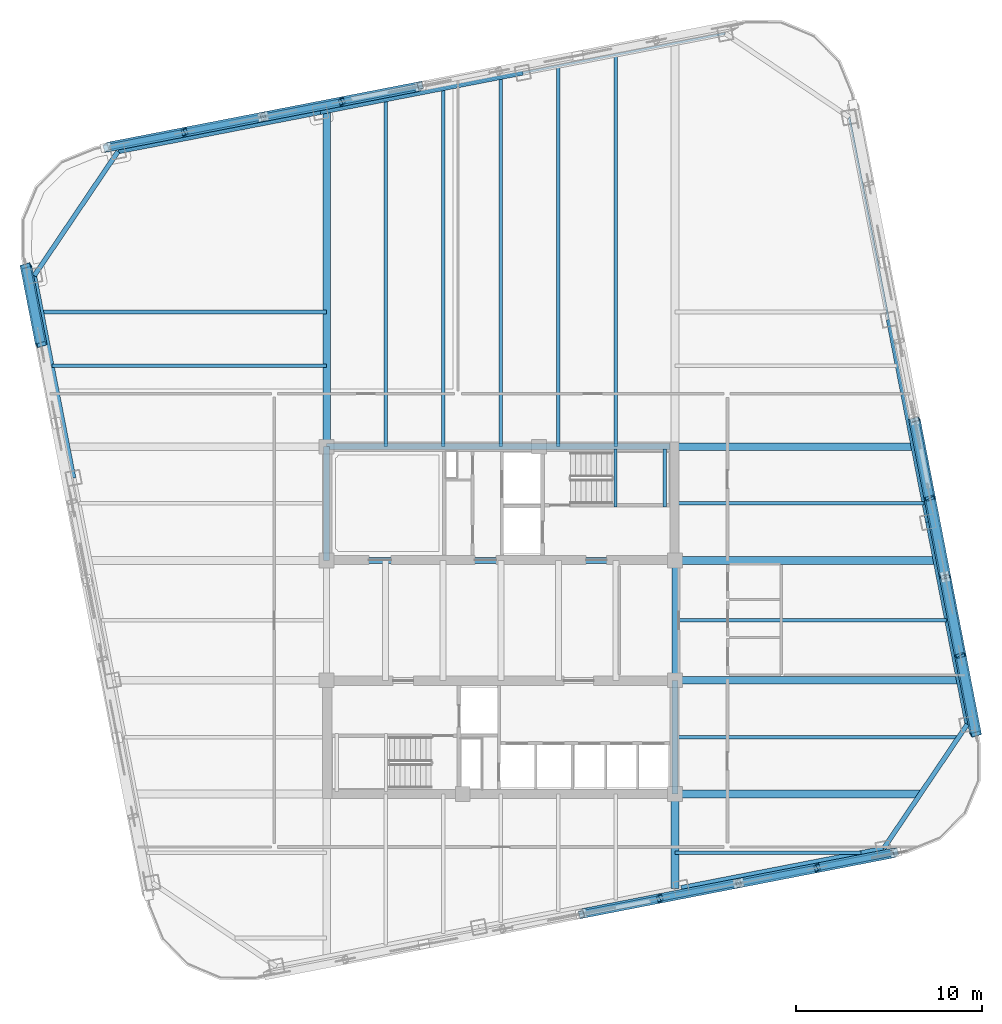
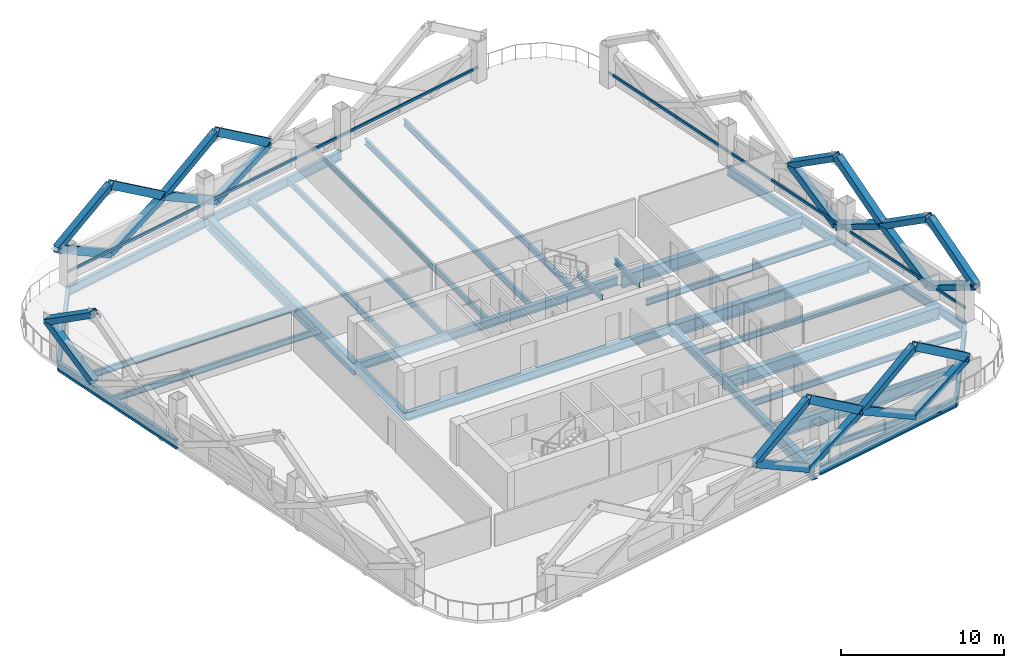
# One storey, part 2 of 10: 32 beams, 28 members.
"""IFC4 building model written with IfcOpenShell, lengths in metres."""

from ifc_helpers import new_model, si_unit, direction, frame, origin, origin_2d, place, context, subcontext, project, spatial, hollow_rectangle, i_section, extrude, material, material_profile, profile_set, type_object, element, save


model = new_model("IFC4")

# Units and contexts
model_context = context("Model", 3, precision=1e-05, world=origin(), true_north=direction((0.0, 1.0)))
body_context = subcontext(model_context, "Body", "Model", "MODEL_VIEW")
ifc_project = project(units=[si_unit("LENGTHUNIT", "METRE"), si_unit("AREAUNIT", "SQUARE_METRE"), si_unit("VOLUMEUNIT", "CUBIC_METRE"), si_unit("PLANEANGLEUNIT", "RADIAN"), si_unit("MASSUNIT", "GRAM", prefix="KILO")], contexts=[model_context])

# Site, building, storey
site_placement = place(None, origin())
site = spatial("IfcSite", under=ifc_project, at=site_placement, CompositionType="ELEMENT")
building_placement = place(site_placement, origin())
building = spatial("IfcBuilding", under=site, at=building_placement, Name="Qhalaya Broadcast Tower", CompositionType="ELEMENT")
storey_placement = place(building_placement, frame((0.0, 0.0, 118.89990234375)))
storey = spatial("IfcBuildingStorey", under=building, at=storey_placement, Name="L34", CompositionType="ELEMENT", Elevation=118.89990234375)

# Beams
ifc_material_1 = material(Name="Structural Steel ASTM A992 Grade 50", Category="steel")
ifc_material_profile_1 = material_profile(ifc_material_1, i_section(OverallWidth=0.19189453125, OverallDepth=0.462890625, WebThickness=0.010498046875, FlangeThickness=0.017578125, at=origin_2d()), Name="W18X60")
ifc_profile_set_1 = profile_set([ifc_material_profile_1], Name="Structural Steel ASTM A992 Grade 50")
beam_type_1 = type_object("IfcBeamType", Name="Composite Floor Joist J03", PredefinedType="JOIST", material=ifc_profile_set_1)
beam_1_placement = place(storey_placement, frame((-6.199951171875, 9.949951171875, -0.451416015625), z_axis=(0.0, 1.0, 0.0), x_axis=(-1.0, 0.0, 0.0)))
element("IfcBeam", 1, at=beam_1_placement, inside=storey, type_object=beam_type_1, Name="L34 J03 L34-JNN1-1", PredefinedType="JOIST", context=body_context, shape_type="SweptSolid", body=[
    extrude(i_section(OverallWidth=0.19189453125, OverallDepth=0.462890625, WebThickness=0.010498046875, FlangeThickness=0.017578125, at=origin_2d()), origin(), (0.0, 0.0, 1.0), 18.6728515625),
])
beam_2_placement = place(storey_placement, frame((-3.10009765625, 9.949951171875, -0.451416015625), z_axis=(0.0, 1.0, 0.0), x_axis=(-1.0, 0.0, 0.0)))
element("IfcBeam", 2, at=beam_2_placement, inside=storey, type_object=beam_type_1, Name="L34 J03 L34-JNN2-1", PredefinedType="JOIST", context=body_context, shape_type="SweptSolid", body=[
    extrude(i_section(OverallWidth=0.19189453125, OverallDepth=0.462890625, WebThickness=0.010498046875, FlangeThickness=0.017578125, at=origin_2d()), origin(), (0.0, 0.0, 1.0), 19.275390625),
])
beam_3_placement = place(storey_placement, frame((0.0, 9.949951171875, -0.451416015625), z_axis=(0.0, 1.0, 0.0), x_axis=(-1.0, 0.0, 0.0)))
element("IfcBeam", 3, at=beam_3_placement, inside=storey, type_object=beam_type_1, Name="L34 J03 L34-JNN3-1", PredefinedType="JOIST", context=body_context, shape_type="SweptSolid", body=[
    extrude(i_section(OverallWidth=0.19189453125, OverallDepth=0.462890625, WebThickness=0.010498046875, FlangeThickness=0.017578125, at=origin_2d()), origin(), (0.0, 0.0, 1.0), 19.8779296875),
])
beam_4_placement = place(storey_placement, frame((3.10009765625, 9.949951171875, -0.451416015625), z_axis=(0.0, 1.0, 0.0), x_axis=(-1.0, 0.0, 0.0)))
element("IfcBeam", 4, at=beam_4_placement, inside=storey, type_object=beam_type_1, Name="L34 J03 L34-JNN4-1", PredefinedType="JOIST", context=body_context, shape_type="SweptSolid", body=[
    extrude(i_section(OverallWidth=0.19189453125, OverallDepth=0.462890625, WebThickness=0.010498046875, FlangeThickness=0.017578125, at=origin_2d()), origin(), (0.0, 0.0, 1.0), 20.480712890625),
])
beam_5_placement = place(storey_placement, frame((6.199951171875, 9.949951171875, -0.451416015625), z_axis=(0.0, 1.0, 0.0), x_axis=(-1.0, 0.0, 0.0)))
element("IfcBeam", 5, at=beam_5_placement, inside=storey, type_object=beam_type_1, Name="L34 J03 L34-JNN5-1", PredefinedType="JOIST", context=body_context, shape_type="SweptSolid", body=[
    extrude(i_section(OverallWidth=0.19189453125, OverallDepth=0.462890625, WebThickness=0.010498046875, FlangeThickness=0.017578125, at=origin_2d()), origin(), (0.0, 0.0, 1.0), 21.083251953125),
])
beam_6_placement = place(storey_placement, frame((9.375, -11.89990234375, -0.451416015625), z_axis=(1.0, 0.0, 0.0), x_axis=(0.0, 1.0, 0.0)))
element("IfcBeam", 6, at=beam_6_placement, inside=storey, type_object=beam_type_1, Name="L34 J03 L34-JWE2E-1", PredefinedType="JOIST", context=body_context, shape_type="SweptSolid", body=[
    extrude(i_section(OverallWidth=0.19189453125, OverallDepth=0.462890625, WebThickness=0.010498046875, FlangeThickness=0.017578125, at=origin_2d()), origin(), (0.0, 0.0, 1.0), 10.009521484375),
])
beam_7_placement = place(storey_placement, frame((9.375, -5.699951171875, -0.451416015625), z_axis=(1.0, 0.0, 0.0), x_axis=(0.0, 1.0, 0.0)))
element("IfcBeam", 7, at=beam_7_placement, inside=storey, type_object=beam_type_1, Name="L34 J03 L34-JWE3E-1", PredefinedType="JOIST", context=body_context, shape_type="SweptSolid", body=[
    extrude(i_section(OverallWidth=0.19189453125, OverallDepth=0.462890625, WebThickness=0.010498046875, FlangeThickness=0.017578125, at=origin_2d()), origin(), (0.0, 0.0, 1.0), 15.24462890625),
])
beam_8_placement = place(storey_placement, frame((9.375, 0.60009765625, -0.451416015625), z_axis=(1.0, 0.0, 0.0), x_axis=(0.0, 1.0, 0.0)))
element("IfcBeam", 8, at=beam_8_placement, inside=storey, type_object=beam_type_1, Name="L34 J03 L34-JWE4E-1", PredefinedType="JOIST", context=body_context, shape_type="SweptSolid", body=[
    extrude(i_section(OverallWidth=0.19189453125, OverallDepth=0.462890625, WebThickness=0.010498046875, FlangeThickness=0.017578125, at=origin_2d()), origin(), (0.0, 0.0, 1.0), 14.632568359375),
])
beam_9_placement = place(storey_placement, frame((9.375, 6.89990234375, -0.451416015625), z_axis=(1.0, 0.0, 0.0), x_axis=(0.0, 1.0, 0.0)))
element("IfcBeam", 9, at=beam_9_placement, inside=storey, type_object=beam_type_1, Name="L34 J03 L34-JWE5E-1", PredefinedType="JOIST", context=body_context, shape_type="SweptSolid", body=[
    extrude(i_section(OverallWidth=0.19189453125, OverallDepth=0.462890625, WebThickness=0.010498046875, FlangeThickness=0.017578125, at=origin_2d()), origin(), (0.0, 0.0, 1.0), 13.407958984375),
])
beam_10_placement = place(storey_placement, frame((-24.1513671875, 14.300048828125, -0.451416015625), z_axis=(1.0, 0.0, 0.0), x_axis=(0.0, 1.0, 0.0)))
element("IfcBeam", 10, at=beam_10_placement, inside=storey, type_object=beam_type_1, Name="L34 J03 L34-JWE6W-1", PredefinedType="JOIST", context=body_context, shape_type="SweptSolid", body=[
    extrude(i_section(OverallWidth=0.19189453125, OverallDepth=0.462890625, WebThickness=0.010498046875, FlangeThickness=0.017578125, at=origin_2d()), origin(), (0.0, 0.0, 1.0), 14.7763671875),
])
beam_11_placement = place(storey_placement, frame((-24.715087890625, 17.199951171875, -0.451416015625), z_axis=(1.0, 0.0, 0.0), x_axis=(0.0, 1.0, 0.0)))
element("IfcBeam", 11, at=beam_11_placement, inside=storey, type_object=beam_type_1, Name="L34 J03 L34-JWE7W-1", PredefinedType="JOIST", context=body_context, shape_type="SweptSolid", body=[
    extrude(i_section(OverallWidth=0.19189453125, OverallDepth=0.462890625, WebThickness=0.010498046875, FlangeThickness=0.017578125, at=origin_2d()), origin(), (0.0, 0.0, 1.0), 15.340087890625),
])
ifc_material_profile_2 = material_profile(ifc_material_1, i_section(OverallWidth=0.323974609375, OverallDepth=0.612060546875, WebThickness=0.0126953125, FlangeThickness=0.01904296875, at=origin_2d()), Name="W24X104")
ifc_profile_set_2 = profile_set([ifc_material_profile_2], Name="Structural Steel ASTM A992 Grade 50")
beam_type_2 = type_object("IfcBeamType", Name="Core Frame Tie Beam B04", PredefinedType="BEAM", material=ifc_profile_set_2)
beam_12_placement = place(storey_placement, frame((-9.375, 3.824951171875, -0.52587890625), z_axis=(1.0, 0.0, 0.0), x_axis=(0.0, 1.0, 0.0)))
element("IfcBeam", 12, at=beam_12_placement, inside=storey, type_object=beam_type_2, Name="L34 B04 L34-CCN1", PredefinedType="BEAM", context=body_context, shape_type="SweptSolid", body=[
    extrude(i_section(OverallWidth=0.323974609375, OverallDepth=0.612060546875, WebThickness=0.0126953125, FlangeThickness=0.01904296875, at=origin_2d()), origin(), (0.0, 0.0, 1.0), 18.75),
])
beam_13_placement = place(storey_placement, frame((-9.375, 3.824951171875, -0.52587890625), z_axis=(0.0, 1.0, 0.0), x_axis=(-1.0, 0.0, 0.0)))
element("IfcBeam", 13, at=beam_13_placement, inside=storey, type_object=beam_type_2, Name="L34 B04 L34-CCN2", PredefinedType="BEAM", context=body_context, shape_type="SweptSolid", body=[
    extrude(i_section(OverallWidth=0.323974609375, OverallDepth=0.612060546875, WebThickness=0.0126953125, FlangeThickness=0.01904296875, at=origin_2d()), origin(), (0.0, 0.0, 1.0), 6.125),
])
beam_14_placement = place(storey_placement, frame((-9.375, 9.949951171875, -0.52587890625), z_axis=(1.0, 0.0, 0.0), x_axis=(0.0, 1.0, 0.0)))
element("IfcBeam", 14, at=beam_14_placement, inside=storey, type_object=beam_type_2, Name="L34 B04 L34-CCN3", PredefinedType="BEAM", context=body_context, shape_type="SweptSolid", body=[
    extrude(i_section(OverallWidth=0.323974609375, OverallDepth=0.612060546875, WebThickness=0.0126953125, FlangeThickness=0.01904296875, at=origin_2d()), origin(), (0.0, 0.0, 1.0), 18.4951171875),
])
beam_15_placement = place(storey_placement, frame((9.375, -8.75, -0.52587890625), z_axis=(0.0, 1.0, 0.0), x_axis=(-1.0, 0.0, 0.0)))
element("IfcBeam", 15, at=beam_15_placement, inside=storey, type_object=beam_type_2, Name="L34 B04 L34-CCS2", PredefinedType="BEAM", context=body_context, shape_type="SweptSolid", body=[
    extrude(i_section(OverallWidth=0.323974609375, OverallDepth=0.612060546875, WebThickness=0.0126953125, FlangeThickness=0.01904296875, at=origin_2d()), origin(), (0.0, 0.0, 1.0), 6.125),
])
beam_16_placement = place(storey_placement, frame((9.375, -2.625, -0.52587890625), z_axis=(0.0, 1.0, 0.0), x_axis=(-1.0, 0.0, 0.0)))
element("IfcBeam", 16, at=beam_16_placement, inside=storey, type_object=beam_type_2, Name="L34 B04 L34-CCE", PredefinedType="BEAM", context=body_context, shape_type="SweptSolid", body=[
    extrude(i_section(OverallWidth=0.323974609375, OverallDepth=0.612060546875, WebThickness=0.0126953125, FlangeThickness=0.01904296875, at=origin_2d()), origin(), (0.0, 0.0, 1.0), 6.449951171875),
])

# Members
ifc_material_2 = material(Name="Structural Steel ASTM A572 Grade 50", Category="steel")
ifc_material_profile_3 = material_profile(ifc_material_2, hollow_rectangle(XDim=0.419921875, YDim=0.550048828125, WallThickness=0.028076171875, at=origin_2d()), Name="BOX 420x550x28")
ifc_profile_set_3 = profile_set([ifc_material_profile_3], Name="Structural Steel ASTM A572 Grade 50")
member_type_1 = type_object("IfcMemberType", Name="Exoskeleton Diamond Diagonal Mid-Low EX2", PredefinedType="BRACE", material=ifc_profile_set_3)
for number, where, z_axis, x_axis, name in (
    (17, (8.562744140625, -14.370361328125, 0.360107421875), (-0.86362522784, -0.167853798825, 0.475369927591), (0.276322709835, -0.946290155626, 0.167871085642), "B3 Exoskeleton Diamond Brace S3-D1"),
    (18, (8.562744140625, -14.370361328125, 0.360107421875), (0.863618006517, 0.167902203124, 0.475365952719), (-0.276374553568, 0.946274942687, 0.167871495444), "B3 Exoskeleton Diamond Brace S3-D2"),
):
    element("IfcMember", number, at=place(storey_placement, frame(where, z_axis=z_axis, x_axis=x_axis)), inside=storey, type_object=member_type_1, Name=name, PredefinedType="BRACE", context=body_context, shape_type="SweptSolid", body=[
        extrude(hollow_rectangle(XDim=0.419921875, YDim=0.550048828125, WallThickness=0.028076171875, at=origin_2d()), origin(), (0.0, 0.0, 1.0), 4.901611328125),
    ])
for number, where, z_axis, x_axis, name in (
    (19, (4.32958984375, -15.193115234375, 2.690185546875), (0.822451309368, 0.159851255123, 0.545913381366), (-0.289535782695, 0.943722068912, 0.159867717779), "B3 Exoskeleton Diamond Brace S3-D3"),
    (20, (12.7958984375, -13.54736328125, 2.690185546875), (-0.822445072423, -0.15989747616, 0.545909241509), (0.289587452788, -0.943706127688, 0.159868232466), "B3 Exoskeleton Diamond Brace S3-D4"),
):
    element("IfcMember", number, at=place(storey_placement, frame(where, z_axis=z_axis, x_axis=x_axis)), inside=storey, type_object=member_type_1, Name=name, PredefinedType="BRACE", context=body_context, shape_type="SweptSolid", body=[
        extrude(hollow_rectangle(XDim=0.419921875, YDim=0.550048828125, WallThickness=0.028076171875, at=origin_2d()), origin(), (0.0, 0.0, 1.0), 5.14697265625),
    ])
member_1_placement = place(storey_placement, frame((17.029296875, -12.724609375, 0.360107421875), z_axis=(-0.863637885863, -0.16784657874, 0.47534947997), x_axis=(0.276308659238, -0.946293884406, 0.167873193708)))
element("IfcMember", 21, at=member_1_placement, inside=storey, type_object=member_type_1, Name="B3 Exoskeleton Diamond Brace S4-D1", PredefinedType="BRACE", context=body_context, shape_type="SweptSolid", body=[
    extrude(hollow_rectangle(XDim=0.419921875, YDim=0.550048828125, WallThickness=0.028076171875, at=origin_2d()), origin(), (0.0, 0.0, 1.0), 4.90185546875),
])
member_2_placement = place(storey_placement, frame((17.029296875, -12.724609375, 0.360107421875), z_axis=(0.863618006517, 0.167902203124, 0.475365952719), x_axis=(-0.276374553568, 0.946274942687, 0.167871495444)))
element("IfcMember", 22, at=member_2_placement, inside=storey, type_object=member_type_1, Name="B3 Exoskeleton Diamond Brace S4-D2", PredefinedType="BRACE", context=body_context, shape_type="SweptSolid", body=[
    extrude(hollow_rectangle(XDim=0.419921875, YDim=0.550048828125, WallThickness=0.028076171875, at=origin_2d()), origin(), (0.0, 0.0, 1.0), 4.901611328125),
])
member_3_placement = place(storey_placement, frame((12.7958984375, -13.54736328125, 2.690185546875), z_axis=(0.822466656744, 0.159845019217, 0.545892084917), x_axis=(-0.289521600846, 0.943725971302, 0.1598703654)))
element("IfcMember", 23, at=member_3_placement, inside=storey, type_object=member_type_1, Name="B3 Exoskeleton Diamond Brace S4-D3", PredefinedType="BRACE", context=body_context, shape_type="SweptSolid", body=[
    extrude(hollow_rectangle(XDim=0.419921875, YDim=0.550048828125, WallThickness=0.028076171875, at=origin_2d()), origin(), (0.0, 0.0, 1.0), 5.147216796875),
])
member_4_placement = place(storey_placement, frame((21.262451171875, -11.901611328125, 2.690185546875), z_axis=(-0.822445072423, -0.15989747616, 0.545909241509), x_axis=(0.289587452788, -0.943706127688, 0.159868232466)))
element("IfcMember", 24, at=member_4_placement, inside=storey, type_object=member_type_1, Name="B3 Exoskeleton Diamond Brace S4-D4", PredefinedType="BRACE", context=body_context, shape_type="SweptSolid", body=[
    extrude(hollow_rectangle(XDim=0.419921875, YDim=0.550048828125, WallThickness=0.028076171875, at=origin_2d()), origin(), (0.0, 0.0, 1.0), 5.14697265625),
])
member_5_placement = place(storey_placement, frame((24.74169921875, -1.290283203125, 0.360107421875), z_axis=(0.167894981079, -0.863630665056, 0.475345505611), x_axis=(-0.276347513602, 0.421624178814, 0.863634820723)))
element("IfcMember", 25, at=member_5_placement, inside=storey, type_object=member_type_1, Name="B3 Exoskeleton Diamond Brace E1-D1", PredefinedType="BRACE", context=body_context, shape_type="SweptSolid", body=[
    extrude(hollow_rectangle(XDim=0.419921875, YDim=0.550048828125, WallThickness=0.028076171875, at=origin_2d()), origin(), (0.0, 0.0, 1.0), 4.90185546875),
])
member_6_placement = place(storey_placement, frame((24.74169921875, -1.290283203125, 0.360107421875), z_axis=(-0.167902203124, 0.863618006517, 0.475365952719), x_axis=(0.276355899211, -0.421640895738, 0.863623976052)))
element("IfcMember", 26, at=member_6_placement, inside=storey, type_object=member_type_1, Name="B3 Exoskeleton Diamond Brace E1-D2", PredefinedType="BRACE", context=body_context, shape_type="SweptSolid", body=[
    extrude(hollow_rectangle(XDim=0.419921875, YDim=0.550048828125, WallThickness=0.028076171875, at=origin_2d()), origin(), (0.0, 0.0, 1.0), 4.901611328125),
])
member_7_placement = place(storey_placement, frame((25.564697265625, -5.523681640625, 2.690185546875), z_axis=(-0.159891238546, 0.82246042017, 0.545887945544), x_axis=(0.28956202773, -0.489597977384, 0.822464377732)))
element("IfcMember", 27, at=member_7_placement, inside=storey, type_object=member_type_1, Name="B3 Exoskeleton Diamond Brace E1-D3", PredefinedType="BRACE", context=body_context, shape_type="SweptSolid", body=[
    extrude(hollow_rectangle(XDim=0.419921875, YDim=0.550048828125, WallThickness=0.028076171875, at=origin_2d()), origin(), (0.0, 0.0, 1.0), 5.147216796875),
])
member_8_placement = place(storey_placement, frame((23.918701171875, 2.94287109375, 2.690185546875), z_axis=(0.15989747616, -0.822445072423, 0.545909241509), x_axis=(-0.289571306731, 0.489615369484, 0.822450757361)))
element("IfcMember", 28, at=member_8_placement, inside=storey, type_object=member_type_1, Name="B3 Exoskeleton Diamond Brace E1-D4", PredefinedType="BRACE", context=body_context, shape_type="SweptSolid", body=[
    extrude(hollow_rectangle(XDim=0.419921875, YDim=0.550048828125, WallThickness=0.028076171875, at=origin_2d()), origin(), (0.0, 0.0, 1.0), 5.14697265625),
])
member_9_placement = place(storey_placement, frame((23.095947265625, 7.17626953125, 0.360107421875), z_axis=(0.16784657874, -0.863637885863, 0.47534947997), x_axis=(-0.276324827587, 0.421643364625, 0.863632712863)))
element("IfcMember", 29, at=member_9_placement, inside=storey, type_object=member_type_1, Name="B3 Exoskeleton Diamond Brace E2-D1", PredefinedType="BRACE", context=body_context, shape_type="SweptSolid", body=[
    extrude(hollow_rectangle(XDim=0.419921875, YDim=0.550048828125, WallThickness=0.028076171875, at=origin_2d()), origin(), (0.0, 0.0, 1.0), 4.90185546875),
])
member_10_placement = place(storey_placement, frame((23.095947265625, 7.17626953125, 0.360107421875), z_axis=(-0.167853798825, 0.86362522784, 0.475369927591), x_axis=(0.276333211151, -0.421660083323, 0.863621867803)))
element("IfcMember", 30, at=member_10_placement, inside=storey, type_object=member_type_1, Name="B3 Exoskeleton Diamond Brace E2-D2", PredefinedType="BRACE", context=body_context, shape_type="SweptSolid", body=[
    extrude(hollow_rectangle(XDim=0.419921875, YDim=0.550048828125, WallThickness=0.028076171875, at=origin_2d()), origin(), (0.0, 0.0, 1.0), 4.901611328125),
])
member_11_placement = place(storey_placement, frame((23.918701171875, 2.94287109375, 2.690185546875), z_axis=(-0.159845019217, 0.822466656744, 0.545892084917), x_axis=(0.289535595257, -0.489618056435, 0.822461730351)))
element("IfcMember", 31, at=member_11_placement, inside=storey, type_object=member_type_1, Name="B3 Exoskeleton Diamond Brace E2-D3", PredefinedType="BRACE", context=body_context, shape_type="SweptSolid", body=[
    extrude(hollow_rectangle(XDim=0.419921875, YDim=0.550048828125, WallThickness=0.028076171875, at=origin_2d()), origin(), (0.0, 0.0, 1.0), 5.147216796875),
])
member_12_placement = place(storey_placement, frame((22.273193359375, 11.409423828125, 2.690185546875), z_axis=(0.159851255123, -0.822451309368, 0.545913381366), x_axis=(-0.28954487197, 0.489635450369, 0.822448109523)))
element("IfcMember", 32, at=member_12_placement, inside=storey, type_object=member_type_1, Name="B3 Exoskeleton Diamond Brace E2-D4", PredefinedType="BRACE", context=body_context, shape_type="SweptSolid", body=[
    extrude(hollow_rectangle(XDim=0.419921875, YDim=0.550048828125, WallThickness=0.028076171875, at=origin_2d()), origin(), (0.0, 0.0, 1.0), 5.14697265625),
])
for number, where, z_axis, x_axis, name in (
    (33, (-8.562744140625, 28.5302734375, 0.360107421875), (0.86362522784, 0.167853798825, 0.475369927591), (-0.276322709835, 0.946290155626, 0.167871085642), "B3 Exoskeleton Diamond Brace N3-D1"),
    (34, (-8.562744140625, 28.5302734375, 0.360107421875), (-0.86362522784, -0.167853798825, 0.475369927591), (0.276322709835, -0.946290155626, 0.167871085642), "B3 Exoskeleton Diamond Brace N3-D2"),
):
    element("IfcMember", number, at=place(storey_placement, frame(where, z_axis=z_axis, x_axis=x_axis)), inside=storey, type_object=member_type_1, Name=name, PredefinedType="BRACE", context=body_context, shape_type="SweptSolid", body=[
        extrude(hollow_rectangle(XDim=0.419921875, YDim=0.550048828125, WallThickness=0.028076171875, at=origin_2d()), origin(), (0.0, 0.0, 1.0), 4.901611328125),
    ])
for number, where, z_axis, x_axis, name in (
    (35, (-4.32958984375, 29.35302734375, 2.690185546875), (-0.822451309368, -0.159851255123, 0.545913381366), (0.289535782695, -0.943722068912, 0.159867717779), "B3 Exoskeleton Diamond Brace N3-D3"),
    (36, (-12.7958984375, 27.70751953125, 2.690185546875), (0.822451309368, 0.159851255123, 0.545913381366), (-0.289535782695, 0.943722068912, 0.159867717779), "B3 Exoskeleton Diamond Brace N3-D4"),
):
    element("IfcMember", number, at=place(storey_placement, frame(where, z_axis=z_axis, x_axis=x_axis)), inside=storey, type_object=member_type_1, Name=name, PredefinedType="BRACE", context=body_context, shape_type="SweptSolid", body=[
        extrude(hollow_rectangle(XDim=0.419921875, YDim=0.550048828125, WallThickness=0.028076171875, at=origin_2d()), origin(), (0.0, 0.0, 1.0), 5.14697265625),
    ])
member_13_placement = place(storey_placement, frame((-17.029296875, 26.884521484375, 0.360107421875), z_axis=(0.863630665056, 0.167894981079, 0.475345505611), x_axis=(-0.276360500461, 0.946278673042, 0.167873603434)))
element("IfcMember", 37, at=member_13_placement, inside=storey, type_object=member_type_1, Name="B3 Exoskeleton Diamond Brace N4-D1", PredefinedType="BRACE", context=body_context, shape_type="SweptSolid", body=[
    extrude(hollow_rectangle(XDim=0.419921875, YDim=0.550048828125, WallThickness=0.028076171875, at=origin_2d()), origin(), (0.0, 0.0, 1.0), 4.90185546875),
])
member_14_placement = place(storey_placement, frame((-17.029296875, 26.884521484375, 0.360107421875), z_axis=(-0.86362522784, -0.167853798825, 0.475369927591), x_axis=(0.276322709835, -0.946290155626, 0.167871085642)))
element("IfcMember", 38, at=member_14_placement, inside=storey, type_object=member_type_1, Name="B3 Exoskeleton Diamond Brace N4-D2", PredefinedType="BRACE", context=body_context, shape_type="SweptSolid", body=[
    extrude(hollow_rectangle(XDim=0.419921875, YDim=0.550048828125, WallThickness=0.028076171875, at=origin_2d()), origin(), (0.0, 0.0, 1.0), 4.901611328125),
])
member_15_placement = place(storey_placement, frame((-12.7958984375, 27.70751953125, 2.690185546875), z_axis=(-0.82246042017, -0.159891238546, 0.545887945544), x_axis=(0.289573268441, -0.943710031701, 0.159870879998)))
element("IfcMember", 39, at=member_15_placement, inside=storey, type_object=member_type_1, Name="B3 Exoskeleton Diamond Brace N4-D3", PredefinedType="BRACE", context=body_context, shape_type="SweptSolid", body=[
    extrude(hollow_rectangle(XDim=0.419921875, YDim=0.550048828125, WallThickness=0.028076171875, at=origin_2d()), origin(), (0.0, 0.0, 1.0), 5.147216796875),
])
member_16_placement = place(storey_placement, frame((-21.262451171875, 26.061767578125, 2.690185546875), z_axis=(0.822451309368, 0.159851255123, 0.545913381366), x_axis=(-0.289535782695, 0.943722068912, 0.159867717779)))
element("IfcMember", 40, at=member_16_placement, inside=storey, type_object=member_type_1, Name="B3 Exoskeleton Diamond Brace N4-D4", PredefinedType="BRACE", context=body_context, shape_type="SweptSolid", body=[
    extrude(hollow_rectangle(XDim=0.419921875, YDim=0.550048828125, WallThickness=0.028076171875, at=origin_2d()), origin(), (0.0, 0.0, 1.0), 5.14697265625),
])
member_17_placement = place(storey_placement, frame((-24.74169921875, 15.4501953125, 0.360107421875), z_axis=(-0.167894981079, 0.863630665056, 0.475345505611), x_axis=(0.276347513602, -0.421624178814, 0.863634820723)))
element("IfcMember", 41, at=member_17_placement, inside=storey, type_object=member_type_1, Name="B3 Exoskeleton Diamond Brace W1-D1", PredefinedType="BRACE", context=body_context, shape_type="SweptSolid", body=[
    extrude(hollow_rectangle(XDim=0.419921875, YDim=0.550048828125, WallThickness=0.028076171875, at=origin_2d()), origin(), (0.0, 0.0, 1.0), 4.90185546875),
])
member_18_placement = place(storey_placement, frame((-25.564697265625, 19.68359375, 2.690185546875), z_axis=(0.159891238546, -0.82246042017, 0.545887945544), x_axis=(-0.28956202773, 0.489597977384, 0.822464377732)))
element("IfcMember", 42, at=member_18_placement, inside=storey, type_object=member_type_1, Name="B3 Exoskeleton Diamond Brace W1-D3", PredefinedType="BRACE", context=body_context, shape_type="SweptSolid", body=[
    extrude(hollow_rectangle(XDim=0.419921875, YDim=0.550048828125, WallThickness=0.028076171875, at=origin_2d()), origin(), (0.0, 0.0, 1.0), 5.147216796875),
])
ifc_material_3 = material(Name="Fired Architectural Terracotta", Category="masonry")
ifc_material_profile_4 = material_profile(ifc_material_3, hollow_rectangle(XDim=0.110107421875, YDim=0.179931640625, WallThickness=0.01806640625, at=origin_2d()), Name="TB-BAG 110x180x18")
ifc_profile_set_4 = profile_set([ifc_material_profile_4], Name="Fired Architectural Terracotta")
member_type_2 = type_object("IfcMemberType", Name="Fired Terracotta Facade Baguette Member TB1", PredefinedType="USERDEFINED", material=ifc_profile_set_4)
for number, where, z_axis, x_axis, name in (
    (43, (25.1162109375, -4.99951171875, 0.84912109375), (-0.190803527564, 0.981628246267, 0.0), (-0.981628246267, -0.190803527564, 0.0), "L34 Terracotta Baguette Feature Rail E"),
    (44, (12.07958984375, 32.1962890625, 0.84912109375), (-0.981626873058, -0.190810592185, 0.0), (0.190810592185, -0.981626873058, 0.0), "L34 Terracotta Baguette Feature Rail N"),
):
    element("IfcMember", number, at=place(storey_placement, frame(where, z_axis=z_axis, x_axis=x_axis)), inside=storey, type_object=member_type_2, Name=name, ObjectType="BAGUETTE", PredefinedType="USERDEFINED", context=body_context, shape_type="SweptSolid", body=[
        extrude(hollow_rectangle(XDim=0.110107421875, YDim=0.179931640625, WallThickness=0.01806640625, at=origin_2d()), origin(), (0.0, 0.0, 1.0), 33.300048828125),
    ])

# Beams
ifc_material_profile_5 = material_profile(ifc_material_1, i_section(OverallWidth=0.4189453125, OverallDepth=0.927001953125, WebThickness=0.019287109375, FlangeThickness=0.031982421875, at=origin_2d()), Name="W36X231")
ifc_profile_set_5 = profile_set([ifc_material_profile_5], Name="Structural Steel ASTM A992 Grade 50")
beam_type_3 = type_object("IfcBeamType", Name="Mid Block Primary Girder PG3", PredefinedType="USERDEFINED", material=ifc_profile_set_5)
beam_17_placement = place(storey_placement, frame((-9.375, 9.949951171875, -0.683349609375), z_axis=(0.0, 1.0, 0.0), x_axis=(-1.0, 0.0, 0.0)))
element("IfcBeam", 45, at=beam_17_placement, inside=storey, type_object=beam_type_3, Name="L34 PG3 L34-PGXN1-1", ObjectType="GIRDER", PredefinedType="USERDEFINED", context=body_context, shape_type="SweptSolid", body=[
    extrude(i_section(OverallWidth=0.4189453125, OverallDepth=0.927001953125, WebThickness=0.019287109375, FlangeThickness=0.031982421875, at=origin_2d()), origin(), (0.0, 0.0, 1.0), 18.0556640625),
])
beam_18_placement = place(storey_placement, frame((9.375, -13.845703125, -0.683349609375), z_axis=(0.0, 1.0, 0.0), x_axis=(-1.0, 0.0, 0.0)))
element("IfcBeam", 46, at=beam_18_placement, inside=storey, type_object=beam_type_3, Name="L34 PG3 L34-PGXS2-1", ObjectType="GIRDER", PredefinedType="USERDEFINED", context=body_context, shape_type="SweptSolid", body=[
    extrude(i_section(OverallWidth=0.4189453125, OverallDepth=0.927001953125, WebThickness=0.019287109375, FlangeThickness=0.031982421875, at=origin_2d()), origin(), (0.0, 0.0, 1.0), 5.095703125),
])
beam_19_placement = place(storey_placement, frame((9.375, -8.75, -0.683349609375), z_axis=(1.0, 0.0, 0.0), x_axis=(0.0, 1.0, 0.0)))
element("IfcBeam", 47, at=beam_19_placement, inside=storey, type_object=beam_type_3, Name="L34 PG3 L34-PGYE1-1", ObjectType="GIRDER", PredefinedType="USERDEFINED", context=body_context, shape_type="SweptSolid", body=[
    extrude(i_section(OverallWidth=0.4189453125, OverallDepth=0.927001953125, WebThickness=0.019287109375, FlangeThickness=0.031982421875, at=origin_2d()), origin(), (0.0, 0.0, 1.0), 13.1875),
])
beam_20_placement = place(storey_placement, frame((9.375, -2.625, -0.683349609375), z_axis=(1.0, 0.0, 0.0), x_axis=(0.0, 1.0, 0.0)))
element("IfcBeam", 48, at=beam_20_placement, inside=storey, type_object=beam_type_3, Name="L34 PG3 L34-PGYE2-1", ObjectType="GIRDER", PredefinedType="USERDEFINED", context=body_context, shape_type="SweptSolid", body=[
    extrude(i_section(OverallWidth=0.4189453125, OverallDepth=0.927001953125, WebThickness=0.019287109375, FlangeThickness=0.031982421875, at=origin_2d()), origin(), (0.0, 0.0, 1.0), 15.259521484375),
])
beam_21_placement = place(storey_placement, frame((9.375, 3.824951171875, -0.683349609375), z_axis=(1.0, 0.0, 0.0), x_axis=(0.0, 1.0, 0.0)))
element("IfcBeam", 49, at=beam_21_placement, inside=storey, type_object=beam_type_3, Name="L34 PG3 L34-PGYE3-1", ObjectType="GIRDER", PredefinedType="USERDEFINED", context=body_context, shape_type="SweptSolid", body=[
    extrude(i_section(OverallWidth=0.4189453125, OverallDepth=0.927001953125, WebThickness=0.019287109375, FlangeThickness=0.031982421875, at=origin_2d()), origin(), (0.0, 0.0, 1.0), 14.005615234375),
])
beam_22_placement = place(storey_placement, frame((9.375, 9.949951171875, -0.683349609375), z_axis=(1.0, 0.0, 0.0), x_axis=(0.0, 1.0, 0.0)))
element("IfcBeam", 50, at=beam_22_placement, inside=storey, type_object=beam_type_3, Name="L34 PG3 L34-PGYE4-1", ObjectType="GIRDER", PredefinedType="USERDEFINED", context=body_context, shape_type="SweptSolid", body=[
    extrude(i_section(OverallWidth=0.4189453125, OverallDepth=0.927001953125, WebThickness=0.019287109375, FlangeThickness=0.031982421875, at=origin_2d()), origin(), (0.0, 0.0, 1.0), 12.815185546875),
])
ifc_material_profile_6 = material_profile(ifc_material_1, i_section(OverallWidth=0.25390625, OverallDepth=0.68310546875, WebThickness=0.012451171875, FlangeThickness=0.01904296875, at=origin_2d()), Name="W27X94")
ifc_profile_set_6 = profile_set([ifc_material_profile_6], Name="Structural Steel ASTM A992 Grade 50")
beam_type_4 = type_object("IfcBeamType", Name="Perimeter Ring Spandrel Beam SP1", PredefinedType="SPANDREL", material=ifc_profile_set_6)
beam_23_placement = place(storey_placement, frame((9.712646484375, -13.80029296875, -0.5615234375), z_axis=(0.981627979352, 0.190804900759, 0.0), x_axis=(-0.190804900759, 0.981627979352, 0.0)))
element("IfcBeam", 51, at=beam_23_placement, inside=storey, type_object=beam_type_4, Name="L34 SP1 L34-SPR-03", PredefinedType="SPANDREL", context=body_context, shape_type="SweptSolid", body=[
    extrude(i_section(OverallWidth=0.25390625, OverallDepth=0.68310546875, WebThickness=0.012451171875, FlangeThickness=0.01904296875, at=origin_2d()), origin(), (0.0, 0.0, 1.0), 11.099853515625),
])
beam_24_placement = place(storey_placement, frame((20.608642578125, -11.682373046875, -0.5615234375), z_axis=(0.559186208288, 0.829042088473, 0.0), x_axis=(-0.829042088473, 0.559186208288, 0.0)))
element("IfcBeam", 52, at=beam_24_placement, inside=storey, type_object=beam_type_4, Name="L34 SP1 L34-SPR-04", PredefinedType="SPANDREL", context=body_context, shape_type="SweptSolid", body=[
    extrude(i_section(OverallWidth=0.25390625, OverallDepth=0.68310546875, WebThickness=0.012451171875, FlangeThickness=0.01904296875, at=origin_2d()), origin(), (0.0, 0.0, 1.0), 8.06103515625),
])
for number, where, z_axis, x_axis, name in (
    (53, (25.1162109375, -4.99951171875, -0.5615234375), (-0.190804900759, 0.981627979352, 0.0), (-0.981627979352, -0.190804900759, 0.0), "L34 SP1 L34-SPR-05"),
    (54, (22.998291015625, 5.896484375, -0.5615234375), (-0.190804900759, 0.981627979352, 0.0), (-0.981627979352, -0.190804900759, 0.0), "L34 SP1 L34-SPR-06"),
    (55, (1.183349609375, 30.078369140625, -0.5615234375), (-0.981627979352, -0.190804900759, 0.0), (0.190804900759, -0.981627979352, 0.0), "L34 SP1 L34-SPR-10"),
    (56, (-9.712646484375, 27.96044921875, -0.5615234375), (-0.981623859527, -0.190826094673, 0.0), (0.190826094673, -0.981623859527, 0.0), "L34 SP1 L34-SPR-11"),
):
    element("IfcBeam", number, at=place(storey_placement, frame(where, z_axis=z_axis, x_axis=x_axis)), inside=storey, type_object=beam_type_4, Name=name, PredefinedType="SPANDREL", context=body_context, shape_type="SweptSolid", body=[
        extrude(i_section(OverallWidth=0.25390625, OverallDepth=0.68310546875, WebThickness=0.012451171875, FlangeThickness=0.01904296875, at=origin_2d()), origin(), (0.0, 0.0, 1.0), 11.099853515625),
    ])
beam_25_placement = place(storey_placement, frame((-20.608642578125, 25.84228515625, -0.5615234375), z_axis=(-0.559186208288, -0.829042088473, 0.0), x_axis=(0.829042088473, -0.559186208288, 0.0)))
element("IfcBeam", 57, at=beam_25_placement, inside=storey, type_object=beam_type_4, Name="L34 SP1 L34-SPR-12", PredefinedType="SPANDREL", context=body_context, shape_type="SweptSolid", body=[
    extrude(i_section(OverallWidth=0.25390625, OverallDepth=0.68310546875, WebThickness=0.012451171875, FlangeThickness=0.01904296875, at=origin_2d()), origin(), (0.0, 0.0, 1.0), 8.06103515625),
])
beam_26_placement = place(storey_placement, frame((-25.1162109375, 19.159423828125, -0.5615234375), z_axis=(0.190804900759, -0.981627979352, 0.0), x_axis=(0.981627979352, 0.190804900759, 0.0)))
element("IfcBeam", 58, at=beam_26_placement, inside=storey, type_object=beam_type_4, Name="L34 SP1 L34-SPR-13", PredefinedType="SPANDREL", context=body_context, shape_type="SweptSolid", body=[
    extrude(i_section(OverallWidth=0.25390625, OverallDepth=0.68310546875, WebThickness=0.012451171875, FlangeThickness=0.01904296875, at=origin_2d()), origin(), (0.0, 0.0, 1.0), 11.099853515625),
])
ifc_material_profile_7 = material_profile(ifc_material_1, i_section(OverallWidth=0.177978515625, OverallDepth=0.406005859375, WebThickness=0.0078125, FlangeThickness=0.0126953125, at=origin_2d()), Name="W16X40")
ifc_profile_set_7 = profile_set([ifc_material_profile_7], Name="Structural Steel ASTM A992 Grade 50")
beam_type_5 = type_object("IfcBeamType", Name="Upper Perimeter Spandrel Beam SP2", PredefinedType="SPANDREL", material=ifc_profile_set_7)
for number, where, z_axis, x_axis, name in (
    (59, (6.175048828125, 6.699951171875, 1.1220703125), (0.0, 1.0, 0.0), (-1.0, 0.0, 0.0), "L34 ST-1 Half-Landing Bearer Beam 1"),
    (60, (8.830078125, 6.699951171875, 1.1220703125), (0.0, 1.0, 0.0), (-1.0, 0.0, 0.0), "L34 ST-1 Half-Landing Bearer Beam 2"),
):
    element("IfcBeam", number, at=place(storey_placement, frame(where, z_axis=z_axis, x_axis=x_axis)), inside=storey, type_object=beam_type_5, Name=name, PredefinedType="SPANDREL", context=body_context, shape_type="SweptSolid", body=[
        extrude(i_section(OverallWidth=0.177978515625, OverallDepth=0.406005859375, WebThickness=0.0078125, FlangeThickness=0.0126953125, at=origin_2d()), origin(), (0.0, 0.0, 1.0), 3.1201171875),
    ])

save(model, "model.ifc")
